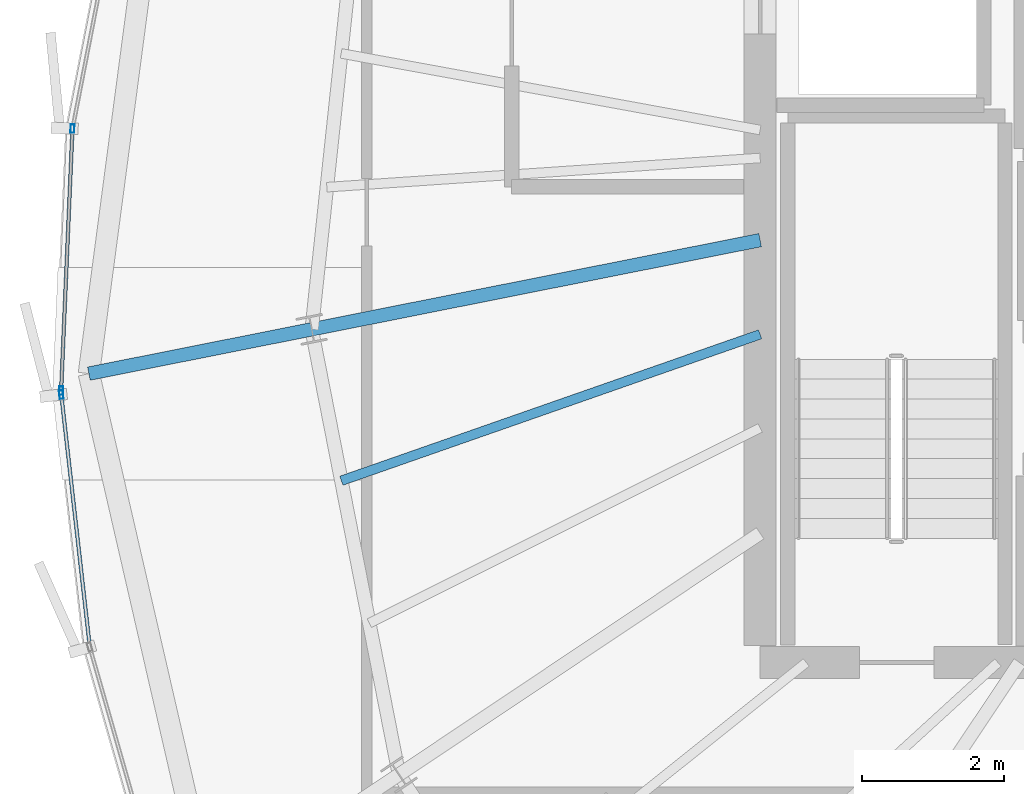
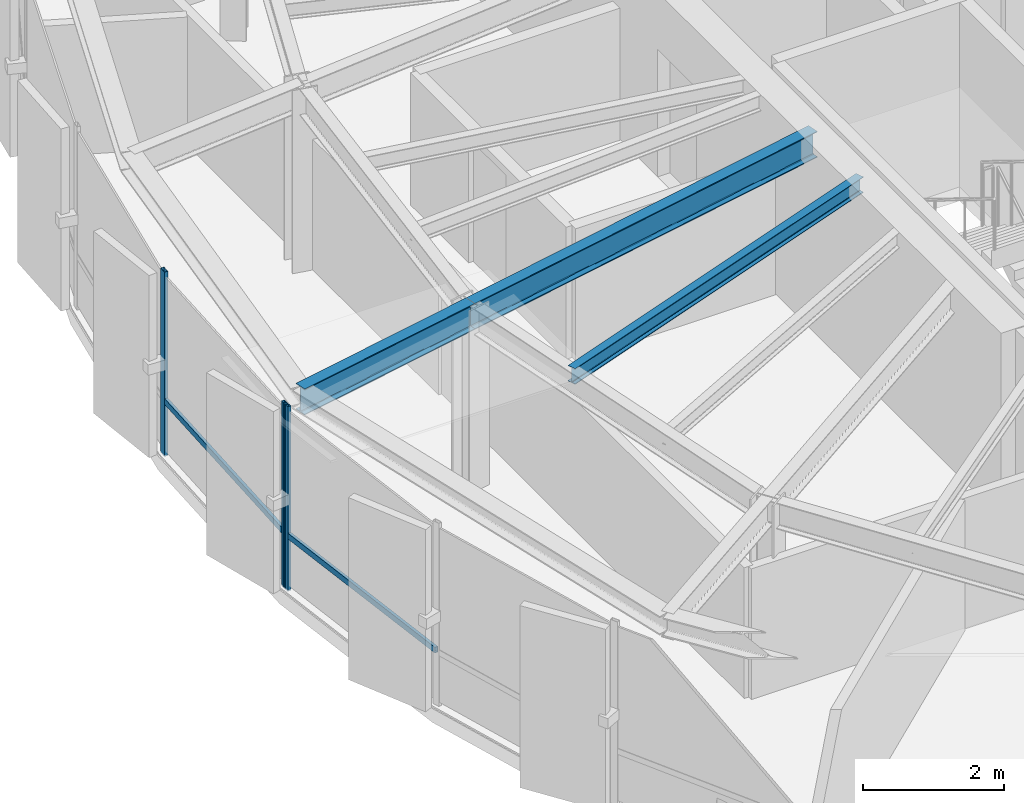
# One storey, part 10 of 31: 5 members, 3 beams, 2 elements without a shape of their own.
"""IFC4 building model written with IfcOpenShell, lengths in metres."""

from ifc_helpers import new_model, si_unit, direction, frame, origin, origin_2d, place, context, subcontext, project, spatial, hollow_rectangle, i_section, extrude, source, transform, mapped, material, layer, layer_set, material_profile, profile_set, type_object, element, aggregate, save


model = new_model("IFC4")

# Units and contexts
model_context = context("Model", 3, precision=1e-05, world=origin(), true_north=direction((0.0, 1.0)))
body_context = subcontext(model_context, "Body", "Model", "MODEL_VIEW")
ifc_project = project(units=[si_unit("LENGTHUNIT", "METRE"), si_unit("AREAUNIT", "SQUARE_METRE"), si_unit("VOLUMEUNIT", "CUBIC_METRE"), si_unit("PLANEANGLEUNIT", "RADIAN"), si_unit("MASSUNIT", "GRAM", prefix="KILO"), si_unit("THERMODYNAMICTEMPERATUREUNIT", "KELVIN")], contexts=[model_context])

# Site, building, storey
site_placement = place(None, origin())
site = spatial("IfcSite", under=ifc_project, at=site_placement, CompositionType="ELEMENT")
building_placement = place(site_placement, origin())
building = spatial("IfcBuilding", under=site, at=building_placement, Name="Kethvar Cultural Tower", CompositionType="ELEMENT")
storey_placement = place(building_placement, frame((0.0, 0.0, 300.85009765625)))
storey = spatial("IfcBuildingStorey", under=building, at=storey_placement, Name="L80", CompositionType="ELEMENT", Elevation=300.85009765625)

# Beams
ifc_material_1 = material(Name="Steel S355J2", Category="steel")
ifc_material_profile_1 = material_profile(ifc_material_1, i_section(OverallWidth=0.18994140625, OverallDepth=0.449951171875, WebThickness=0.009521484375, FlangeThickness=0.0146484375, FilletRadius=0.02099609375, at=origin_2d()), Name="Steel S355J2 — IPE450")
ifc_profile_set_1 = profile_set([ifc_material_profile_1], Name="Steel S355J2 — IPE450")
beam_type_1 = type_object("IfcBeamType", Name="BM-IPE450", PredefinedType="BEAM", material=ifc_profile_set_1)
shared_shape_1 = source(origin(), body_context, "Body", "SweptSolid", [
    extrude(i_section(OverallWidth=0.18994140625, OverallDepth=0.449951171875, WebThickness=0.009521484375, FlangeThickness=0.0146484375, FilletRadius=0.02099609375, at=origin_2d()), origin(), (0.0, 0.0, 1.0), 3.2001953125),
])
beam_1_placement = place(storey_placement, frame((31.68310546875, 24.79296875, 2.9580078125), z_axis=(-0.980788453702, -0.195074368086, 0.0), x_axis=(0.195074368086, -0.980788453702, 0.0)))
element("IfcBeam", 1, at=beam_1_placement, inside=storey, type_object=beam_type_1, Name="L80 Perimeter Cantilever Beam RC-09", PredefinedType="BEAM", context=body_context, shape_type="MappedRepresentation", body=[
    mapped(shared_shape_1, transform((0.0, 0.0, 0.0), scale=1.0)),
])
shared_shape_2 = source(origin(), body_context, "Body", "SweptSolid", [
    extrude(i_section(OverallWidth=0.18994140625, OverallDepth=0.449951171875, WebThickness=0.009521484375, FlangeThickness=0.0146484375, FilletRadius=0.02099609375, at=origin_2d()), origin(), (0.0, 0.0, 1.0), 6.440673828125),
])
beam_2_placement = place(storey_placement, frame((38.0, 26.049560546875, 2.9580078125), z_axis=(-0.980782804096, -0.195102770839, 0.0), x_axis=(0.195102770839, -0.980782804096, 0.0)))
element("IfcBeam", 2, at=beam_2_placement, inside=storey, type_object=beam_type_1, Name="L80 Primary Radial Beam RB-09", PredefinedType="BEAM", context=body_context, shape_type="MappedRepresentation", body=[
    mapped(shared_shape_2, transform((0.0, 0.0, 0.0), scale=1.0)),
])
ifc_material_profile_2 = material_profile(ifc_material_1, i_section(OverallWidth=0.135009765625, OverallDepth=0.27001953125, WebThickness=0.006591796875, FlangeThickness=0.01025390625, FilletRadius=0.014892578125, at=origin_2d()), Name="Steel S355J2 — IPE270")
ifc_profile_set_2 = profile_set([ifc_material_profile_2], Name="Steel S355J2 — IPE270")
beam_type_2 = type_object("IfcBeamType", Name="BM-J270", PredefinedType="JOIST", material=ifc_profile_set_2)
shared_shape_3 = source(origin(), body_context, "Body", "SweptSolid", [
    extrude(i_section(OverallWidth=0.135009765625, OverallDepth=0.27001953125, WebThickness=0.006591796875, FlangeThickness=0.01025390625, FilletRadius=0.014892578125, at=origin_2d()), origin(), (0.0, 0.0, 1.0), 6.248779296875),
])
beam_3_placement = place(storey_placement, frame((38.0, 24.722900390625, 3.0478515625), z_axis=(-0.943960031743, -0.330059780148, 0.0), x_axis=(0.330059780148, -0.943960031743, 0.0)))
element("IfcBeam", 3, at=beam_3_placement, inside=storey, type_object=beam_type_2, Name="L80 Composite Floor Joist J-09A", PredefinedType="JOIST", context=body_context, shape_type="MappedRepresentation", body=[
    mapped(shared_shape_3, transform((0.0, 0.0, 0.0), scale=1.0)),
])

# Curtain wall, members
ifc_material_2 = material(Name="Aluminium 6063-T6", Category="aluminium")
ifc_layer = layer(ifc_material_2, 0.179931640625, Name="Aluminium 6063-T6", Category="aluminium")
ifc_layer_set = layer_set([ifc_layer], Name="Aluminium 6063-T6 (180 mm)")
curtain_wall_type = type_object("IfcCurtainWallType", Name="CW-SYS-05-Z56", PredefinedType="NOTDEFINED", material=ifc_layer_set)
curtain_wall_1_placement = place(storey_placement, origin())
curtain_wall_1 = element("IfcCurtainWall", 4, at=curtain_wall_1_placement, inside=storey, type_object=curtain_wall_type, Name="L80 Curtain Wall Run 02", PredefinedType="NOTDEFINED")
ifc_material_profile_3 = material_profile(ifc_material_2, hollow_rectangle(XDim=0.054931640625, YDim=0.1201171875, WallThickness=0.00390625, at=origin_2d()), Name="Aluminium 6063-T6 — RHS120x55x4")
ifc_profile_set_3 = profile_set([ifc_material_profile_3], Name="Aluminium 6063-T6 — RHS120x55x4")
member_type_1 = type_object("IfcMemberType", Name="CW-SYS-05-Z56-MUL", PredefinedType="MULLION", material=ifc_profile_set_3)
shared_shape_4 = source(origin(), body_context, "Body", "SweptSolid", [
    extrude(hollow_rectangle(XDim=0.054931640625, YDim=0.1201171875, WallThickness=0.00390625, at=origin_2d()), origin(), (0.0, 0.0, 1.0), 3.184814453125),
])
member_1_placement = place(storey_placement, frame((28.31396484375, 27.620361328125, 0.0), z_axis=(0.0, 0.0, 1.0), x_axis=(0.999063386755, -0.043270651098, 0.0)))
member_1 = element("IfcMember", 5, at=member_1_placement, type_object=member_type_1, Name="CW-L80-R02 Mullion 6", PredefinedType="MULLION", context=body_context, shape_type="MappedRepresentation", body=[
    mapped(shared_shape_4, transform((0.0, 0.0, 0.0), scale=1.0)),
])
member_2_placement = place(storey_placement, frame((28.154052734375, 23.9296875, 0.0), z_axis=(0.0, 0.0, 1.0), x_axis=(0.999063386755, -0.043270651098, 0.0)))
member_2 = element("IfcMember", 6, at=member_2_placement, type_object=member_type_1, Name="CW-L80-R02 Mullion 7", PredefinedType="MULLION", context=body_context, shape_type="MappedRepresentation", body=[
    mapped(shared_shape_4, transform((0.0, 0.0, 0.0), scale=1.0)),
])

# Curtain wall, member
curtain_wall_2_placement = place(storey_placement, origin())
curtain_wall_2 = element("IfcCurtainWall", 7, at=curtain_wall_2_placement, inside=storey, type_object=curtain_wall_type, Name="L80 Curtain Wall Run 03", PredefinedType="NOTDEFINED")
member_3_placement = place(storey_placement, frame((28.156005859375, 23.8740234375, 0.0), z_axis=(0.0, 0.0, 1.0), x_axis=(0.993656533919, 0.112457514648, 0.0)))
member_3 = element("IfcMember", 8, at=member_3_placement, type_object=member_type_1, Name="CW-L80-R03 Mullion 1", PredefinedType="MULLION", context=body_context, shape_type="MappedRepresentation", body=[
    mapped(shared_shape_4, transform((0.0, 0.0, 0.0), scale=1.0)),
])

# Member
ifc_material_profile_4 = material_profile(ifc_material_2, hollow_rectangle(XDim=0.050048828125, YDim=0.10009765625, WallThickness=0.00390625, at=origin_2d()), Name="Aluminium 6063-T6 — RHS100x50x4")
ifc_profile_set_4 = profile_set([ifc_material_profile_4], Name="Aluminium 6063-T6 — RHS100x50x4")
member_type_2 = type_object("IfcMemberType", Name="CW-SYS-05-Z56-TRN", PredefinedType="USERDEFINED", material=ifc_profile_set_4)
shared_shape_5 = source(origin(), body_context, "Body", "SweptSolid", [
    extrude(hollow_rectangle(XDim=0.050048828125, YDim=0.10009765625, WallThickness=0.00390625, at=origin_2d()), origin(), (0.0, 0.0, 1.0), 3.650634765625),
])
member_4_placement = place(storey_placement, frame((28.312255859375, 27.580810546875, 0.949951171875), z_axis=(-0.043268897541, -0.999063462702, 0.0), x_axis=(0.999063462702, -0.043268897541, 0.0)))
member_4 = element("IfcMember", 9, at=member_4_placement, type_object=member_type_2, Name="CW-L80-R02 Transom 6", ObjectType="TRANSOM", PredefinedType="USERDEFINED", context=body_context, shape_type="MappedRepresentation", body=[
    mapped(shared_shape_5, transform((0.0, 0.0, 0.0), scale=1.0)),
])

aggregate(curtain_wall_1, [member_1, member_2, member_4])

shared_shape_6 = source(origin(), body_context, "Body", "SweptSolid", [
    extrude(hollow_rectangle(XDim=0.050048828125, YDim=0.10009765625, WallThickness=0.00390625, at=origin_2d()), origin(), (0.0, 0.0, 1.0), 3.551513671875),
])
member_5_placement = place(storey_placement, frame((28.156494140625, 23.870361328125, 0.949951171875), z_axis=(0.112460842157, -0.993656157321, 0.0), x_axis=(0.993656157321, 0.112460842157, 0.0)))
member_5 = element("IfcMember", 10, at=member_5_placement, type_object=member_type_2, Name="CW-L80-R03 Transom 1", ObjectType="TRANSOM", PredefinedType="USERDEFINED", context=body_context, shape_type="MappedRepresentation", body=[
    mapped(shared_shape_6, transform((0.0, 0.0, 0.0), scale=1.0)),
])

aggregate(curtain_wall_2, [member_3, member_5])

save(model, "model.ifc")
